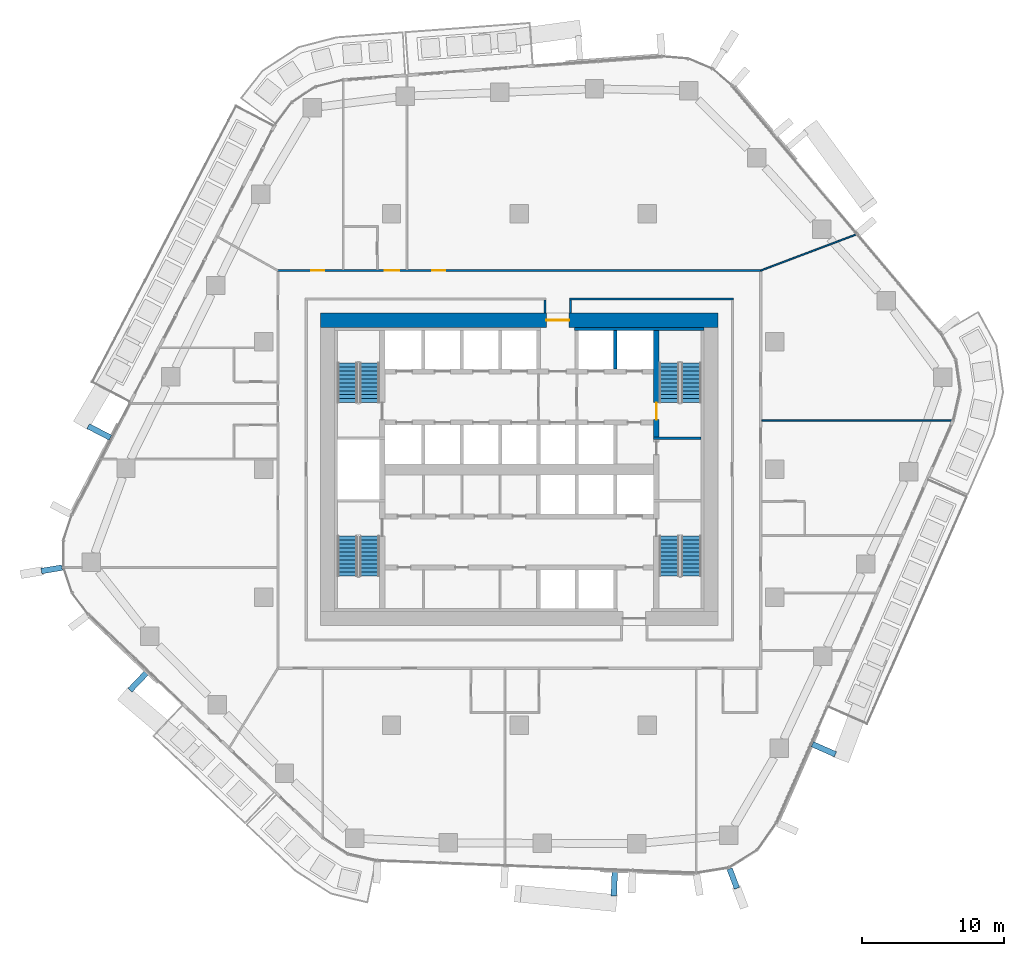
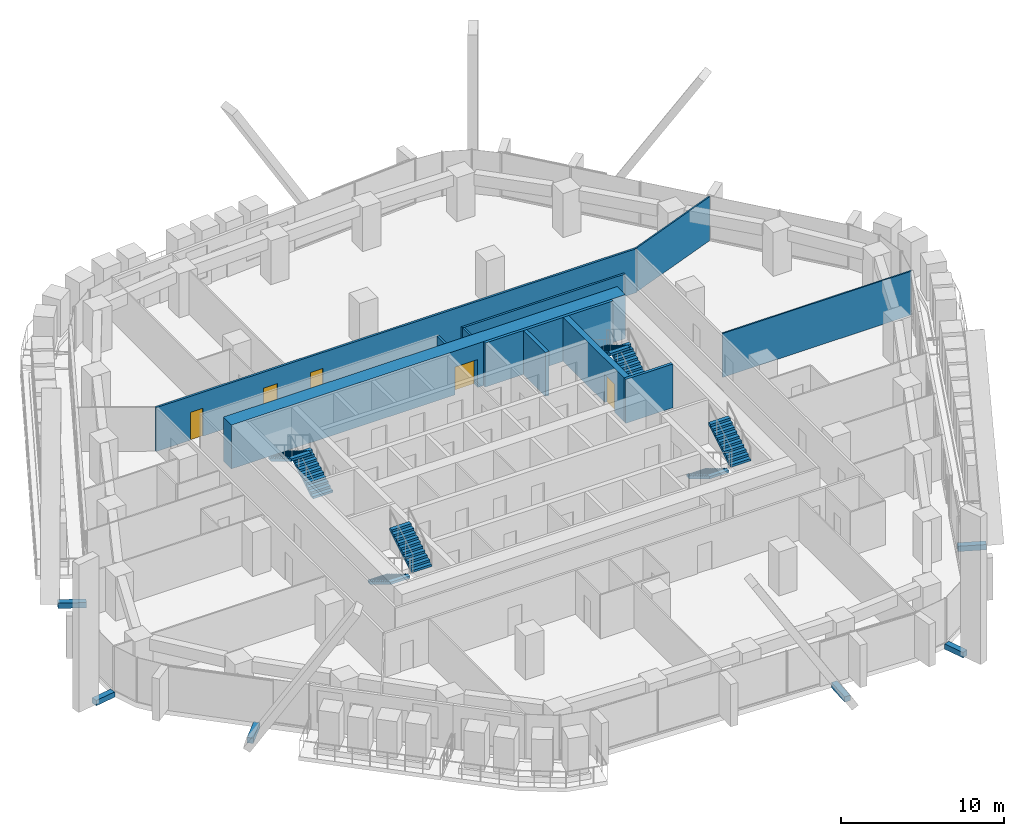
# One storey, part 16 of 24: 11 walls, 8 stair flights, 6 discrete accessories, 5 doors, 5 openings, 4 elements without a shape of their own.
"""IFC4 building model written with IfcOpenShell, lengths in metres."""

from ifc_helpers import new_model, si_unit, direction, frame, frame_2d, origin, origin_2d, place, context, subcontext, project, spatial, polyline, rectangle, outline, extrude, material, layer, layer_set, type_object, element, fill, aggregate, save


model = new_model("IFC4")

# Units and contexts
model_context = context("Model", 3, precision=1e-05, world=origin(), true_north=direction((0.0, 1.0)))
body_context = subcontext(model_context, "Body", "Model", "MODEL_VIEW")
ifc_project = project(units=[si_unit("LENGTHUNIT", "METRE"), si_unit("AREAUNIT", "SQUARE_METRE"), si_unit("VOLUMEUNIT", "CUBIC_METRE"), si_unit("PLANEANGLEUNIT", "RADIAN"), si_unit("MASSUNIT", "GRAM", prefix="KILO")], contexts=[model_context])

# Site, building, storey
site_placement = place(None, origin())
site = spatial("IfcSite", under=ifc_project, at=site_placement, CompositionType="ELEMENT")
building_placement = place(site_placement, origin())
building = spatial("IfcBuilding", under=site, at=building_placement, Name="Dongbaek Canopy Tower", CompositionType="ELEMENT")
storey_placement = place(building_placement, frame((0.0, 0.0, 128.5)))
storey = spatial("IfcBuildingStorey", under=building, at=storey_placement, Name="L28", CompositionType="ELEMENT", Elevation=128.5)

# Wall, opening, door
ifc_material_1 = material(Name="Concrete C60/75", Category="concrete")
ifc_layer_1 = layer(ifc_material_1, 1.0)
ifc_layer_set_1 = layer_set([ifc_layer_1], Name="Core outer wall 1000 Concrete C60/75")
wall_type_1 = type_object("IfcWallType", Name="Core outer wall 1000 Concrete C60/75", PredefinedType="SHEAR", material=ifc_layer_set_1)
wall_1_placement = place(storey_placement, frame((-14.0, 10.5, 0.0), z_axis=(0.0, 0.0, 1.0), x_axis=(1.0, 0.0, 0.0)))
wall_1 = element("IfcWall", 1, at=wall_1_placement, inside=storey, type_object=wall_type_1, Name="Core wall", PredefinedType="SHEAR", context=body_context, shape_type="SweptSolid", body=[
    extrude(rectangle(XDim=28.0, YDim=1.0, at=frame_2d((14.0, 0.0))), origin(), (0.0, 0.0, 1.0), 3.300048828125),
])
opening_1_placement = place(wall_1_placement, frame((15.89990234375, 0.0, 0.0)))
opening_1 = element("IfcOpeningElement", 2, at=opening_1_placement, cuts=wall_1, Name="Opening L28-D030", PredefinedType="OPENING", context=body_context, shape_type="SweptSolid", body=[
    extrude(rectangle(XDim=1.60009765625, YDim=2.10009765625, at=frame_2d((0.800048828125, 1.050048828125))), frame((0.0, 0.510009765625, 0.0), z_axis=(0.0, -1.0, 0.0), x_axis=(1.0, 0.0, 0.0)), (0.0, 0.0, 1.0), 1.02001953125),
])
ifc_material_2 = material(Name="Steel", Category="steel")
door_type_1 = type_object("IfcDoorType", Name="Core exit door 1600 x 2100", OperationType="DOUBLE_DOOR_SINGLE_SWING", PredefinedType="DOOR", material=ifc_material_2)
door_1_placement = place(opening_1_placement, origin())
door_1 = element("IfcDoor", 3, at=door_1_placement, inside=storey, type_object=door_type_1, Name="Core exit door", OperationType="DOUBLE_DOOR_SINGLE_SWING", OverallHeight=2.10009765625, OverallWidth=1.60009765625, PredefinedType="DOOR", context=body_context, shape_type="SweptSolid", body=[
    extrude(rectangle(XDim=1.60009765625, YDim=2.10009765625, at=frame_2d((0.800048828125, 1.050048828125))), frame((0.0, 0.02490234375, 0.0), z_axis=(0.0, -1.0, 0.0), x_axis=(1.0, 0.0, 0.0)), (0.0, 0.0, 1.0), 0.050048828125),
])
fill(opening_1, door_1)

# Walls
ifc_material_3 = material(Name="Concrete C60/75", Category="concrete")
ifc_layer_2 = layer(ifc_material_3, 0.199951171875)
ifc_layer_set_2 = layer_set([ifc_layer_2], Name="Core wall lining 200 Concrete C60/75")
wall_type_2 = type_object("IfcWallType", Name="Core wall lining 200 Concrete C60/75", PredefinedType="SHEAR", material=ifc_layer_set_2)
wall_2_placement = place(storey_placement, frame((3.89990234375, 9.89990234375, 0.0), z_axis=(0.0, 0.0, 1.0), x_axis=(1.0, 0.0, 0.0)))
element("IfcWall", 4, at=wall_2_placement, inside=storey, type_object=wall_type_2, Name="Core wall lining", PredefinedType="SHEAR", context=body_context, shape_type="SweptSolid", body=[
    extrude(rectangle(XDim=9.10009765625, YDim=0.199951171875, at=frame_2d((4.550048828125, 0.0))), origin(), (0.0, 0.0, 1.0), 3.300048828125),
])
ifc_material_4 = material(Name="Gypsum board partition, steel stud, 2 x 15 mm fire board", Category="steel")
ifc_layer_3 = layer(ifc_material_4, 0.14990234375)
ifc_layer_set_3 = layer_set([ifc_layer_3], Name="Fire-rated partition 150 gypsum board")
wall_type_3 = type_object("IfcWallType", Name="Fire-rated partition 150 gypsum board", PredefinedType="PARTITIONING", material=ifc_layer_set_3)
wall_3_placement = place(storey_placement, frame((3.52490234375, 12.0, 0.0), z_axis=(0.0, 0.0, 1.0), x_axis=(1.0, 0.0, 0.0)))
element("IfcWall", 5, at=wall_3_placement, inside=storey, type_object=wall_type_3, Name="Corridor partition", PredefinedType="PARTITIONING", context=body_context, shape_type="SweptSolid", body=[
    extrude(rectangle(XDim=11.550048828125, YDim=0.14990234375, at=frame_2d((5.77490234375, 0.0))), origin(), (0.0, 0.0, 1.0), 3.300048828125),
])

# Wall, openings, doors
wall_4_placement = place(storey_placement, frame((-17.074951171875, 14.0, 0.0), z_axis=(0.0, 0.0, 1.0), x_axis=(1.0, 0.0, 0.0)))
wall_4 = element("IfcWall", 6, at=wall_4_placement, inside=storey, type_object=wall_type_3, Name="Corridor partition", PredefinedType="PARTITIONING", context=body_context, shape_type="SweptSolid", body=[
    extrude(rectangle(XDim=34.14990234375, YDim=0.14990234375, at=frame_2d((17.074951171875, 0.0))), origin(), (0.0, 0.0, 1.0), 3.300048828125),
])
opening_2_placement = place(wall_4_placement, frame((10.953857421875, 0.0, 0.0)))
opening_2 = element("IfcOpeningElement", 7, at=opening_2_placement, cuts=wall_4, Name="Opening L28-D014", PredefinedType="OPENING", context=body_context, shape_type="SweptSolid", body=[
    extrude(rectangle(XDim=0.89990234375, YDim=2.10009765625, at=frame_2d((0.449951171875, 1.050048828125))), frame((0.0, 0.0849609375, 0.0), z_axis=(0.0, -1.0, 0.0), x_axis=(1.0, 0.0, 0.0)), (0.0, 0.0, 1.0), 0.169921875),
])
opening_3_placement = place(wall_4_placement, frame((7.617431640625, 0.0, 0.0)))
opening_3 = element("IfcOpeningElement", 8, at=opening_3_placement, cuts=wall_4, Name="Opening L28-D016", PredefinedType="OPENING", context=body_context, shape_type="SweptSolid", body=[
    extrude(rectangle(XDim=1.0, YDim=2.10009765625, at=frame_2d((0.5, 1.050048828125))), frame((0.0, 0.0849609375, 0.0), z_axis=(0.0, -1.0, 0.0), x_axis=(1.0, 0.0, 0.0)), (0.0, 0.0, 1.0), 0.169921875),
])
opening_4_placement = place(wall_4_placement, frame((2.42529296875, 0.0, 0.0)))
opening_4 = element("IfcOpeningElement", 9, at=opening_4_placement, cuts=wall_4, Name="Opening L28-D017", PredefinedType="OPENING", context=body_context, shape_type="SweptSolid", body=[
    extrude(rectangle(XDim=0.89990234375, YDim=2.10009765625, at=frame_2d((0.449951171875, 1.050048828125))), frame((0.0, 0.0849609375, 0.0), z_axis=(0.0, -1.0, 0.0), x_axis=(1.0, 0.0, 0.0)), (0.0, 0.0, 1.0), 0.169921875),
])
ifc_material_5 = material(Name="Timber veneered door leaf", Category="wood")
door_type_2 = type_object("IfcDoorType", Name="Guest room door 1000 x 2100", OperationType="SINGLE_SWING_LEFT", PredefinedType="DOOR", material=ifc_material_5)
door_2_placement = place(opening_3_placement, origin())
door_2 = element("IfcDoor", 10, at=door_2_placement, inside=storey, type_object=door_type_2, Name="Door L28-D016", OperationType="SINGLE_SWING_LEFT", OverallHeight=2.10009765625, OverallWidth=1.0, PredefinedType="DOOR", context=body_context, shape_type="SweptSolid", body=[
    extrude(rectangle(XDim=1.0, YDim=2.10009765625, at=frame_2d((0.5, 1.050048828125))), frame((0.0, 0.02490234375, 0.0), z_axis=(0.0, -1.0, 0.0), x_axis=(1.0, 0.0, 0.0)), (0.0, 0.0, 1.0), 0.050048828125),
])
fill(opening_3, door_2)
ifc_material_6 = material(Name="Timber veneered door leaf", Category="wood")
door_type_3 = type_object("IfcDoorType", Name="Room door 900 x 2100", OperationType="SINGLE_SWING_LEFT", PredefinedType="DOOR", material=ifc_material_6)
door_3_placement = place(opening_2_placement, origin())
door_3 = element("IfcDoor", 11, at=door_3_placement, inside=storey, type_object=door_type_3, Name="Door L28-D014", OperationType="SINGLE_SWING_RIGHT", OverallHeight=2.10009765625, OverallWidth=0.89990234375, PredefinedType="DOOR", context=body_context, shape_type="SweptSolid", body=[
    extrude(rectangle(XDim=0.89990234375, YDim=2.10009765625, at=frame_2d((0.449951171875, 1.050048828125))), frame((0.0, 0.02490234375, 0.0), z_axis=(0.0, -1.0, 0.0), x_axis=(1.0, 0.0, 0.0)), (0.0, 0.0, 1.0), 0.050048828125),
])
fill(opening_2, door_3)
door_4_placement = place(opening_4_placement, origin())
door_4 = element("IfcDoor", 12, at=door_4_placement, inside=storey, type_object=door_type_3, Name="Door L28-D017", OperationType="SINGLE_SWING_RIGHT", OverallHeight=2.10009765625, OverallWidth=0.89990234375, PredefinedType="DOOR", context=body_context, shape_type="SweptSolid", body=[
    extrude(rectangle(XDim=0.89990234375, YDim=2.10009765625, at=frame_2d((0.449951171875, 1.050048828125))), frame((0.0, 0.02490234375, 0.0), z_axis=(0.0, -1.0, 0.0), x_axis=(1.0, 0.0, 0.0)), (0.0, 0.0, 1.0), 0.050048828125),
])
fill(opening_4, door_4)

# Walls
for number, where, z_axis, x_axis, name in (
    (13, (3.60009765625, 11.0, 0.0), (0.0, 0.0, 1.0), (0.0, 1.0, 0.0), "Corridor partition"),
    (14, (1.800048828125, 11.0, 0.0), (0.0, 0.0, 1.0), (0.0, 1.0, 0.0), "Corridor partition"),
):
    element("IfcWall", number, at=place(storey_placement, frame(where, z_axis=z_axis, x_axis=x_axis)), inside=storey, type_object=wall_type_3, Name=name, PredefinedType="PARTITIONING", context=body_context, shape_type="SweptSolid", body=[
        extrude(rectangle(XDim=0.925048828125, YDim=0.14990234375, at=frame_2d((0.46240234375, 0.0))), origin(), (0.0, 0.0, 1.0), 3.300048828125),
    ])
ifc_material_7 = material(Name="Concrete C40/50", Category="concrete")
ifc_layer_4 = layer(ifc_material_7, 0.25)
ifc_layer_set_4 = layer_set([ifc_layer_4], Name="Lift shaft wall 250 Concrete C40/50")
wall_type_4 = type_object("IfcWallType", Name="Lift shaft wall 250 Concrete C40/50", PredefinedType="SOLIDWALL", material=ifc_layer_set_4)
wall_5_placement = place(storey_placement, frame((6.75, 7.074951171875, 0.0), z_axis=(0.0, 0.0, 1.0), x_axis=(0.0, 1.0, 0.0)))
element("IfcWall", 15, at=wall_5_placement, inside=storey, type_object=wall_type_4, Name="Lift shaft wall", PredefinedType="SOLIDWALL", context=body_context, shape_type="SweptSolid", body=[
    extrude(rectangle(XDim=2.72509765625, YDim=0.25, at=frame_2d((1.362548828125, 0.0))), origin(), (0.0, 0.0, 1.0), 3.300048828125),
])
ifc_material_8 = material(Name="Gypsum board partition, steel stud, 2 x 12.5 mm board", Category="steel")
ifc_layer_5 = layer(ifc_material_8, 0.10009765625)
ifc_layer_set_5 = layer_set([ifc_layer_5], Name="Partition 100 gypsum board")
wall_type_5 = type_object("IfcWallType", Name="Partition 100 gypsum board", PredefinedType="PARTITIONING", material=ifc_layer_set_5)
wall_6_placement = place(storey_placement, frame((17.074951171875, 3.43798828125, 0.0), z_axis=(0.0, 0.0, 1.0), x_axis=(1.0, 0.0, 0.0)))
element("IfcWall", 16, at=wall_6_placement, inside=storey, type_object=wall_type_5, Name="Partition", PredefinedType="PARTITIONING", context=body_context, shape_type="SweptSolid", body=[
    extrude(rectangle(XDim=13.436279296875, YDim=0.10009765625, at=frame_2d((6.71826171875, 0.0))), origin(), (0.0, 0.0, 1.0), 3.300048828125),
])
wall_7_placement = place(storey_placement, frame((17.0, 14.0, 0.0), z_axis=(0.0, 0.0, 1.0), x_axis=(0.934953139897, 0.354771230791, 0.0)))
element("IfcWall", 17, at=wall_7_placement, inside=storey, type_object=wall_type_5, Name="Partition", PredefinedType="PARTITIONING", context=body_context, shape_type="SweptSolid", body=[
    extrude(rectangle(XDim=7.23388671875, YDim=0.10009765625, at=frame_2d((3.616943359375, 0.0))), origin(), (0.0, 0.0, 1.0), 3.300048828125),
])
ifc_material_9 = material(Name="Concrete C60/75", Category="concrete")
ifc_layer_6 = layer(ifc_material_9, 0.199951171875)
ifc_layer_set_6 = layer_set([ifc_layer_6], Name="Riser wall 200 Concrete C60/75")
wall_type_6 = type_object("IfcWallType", Name="Riser wall 200 Concrete C60/75", PredefinedType="SHEAR", material=ifc_layer_set_6)
wall_8_placement = place(storey_placement, frame((9.449951171875, 2.199951171875, 0.0), z_axis=(0.0, 0.0, 1.0), x_axis=(1.0, 0.0, 0.0)))
element("IfcWall", 18, at=wall_8_placement, inside=storey, type_object=wall_type_6, Name="Riser wall", PredefinedType="SHEAR", context=body_context, shape_type="SweptSolid", body=[
    extrude(rectangle(XDim=3.35009765625, YDim=0.199951171875, at=frame_2d((1.675048828125, 0.0))), origin(), (0.0, 0.0, 1.0), 3.300048828125),
])

# Wall, opening, door
ifc_material_10 = material(Name="Concrete C60/75", Category="concrete")
ifc_layer_7 = layer(ifc_material_10, 0.39990234375)
ifc_layer_set_7 = layer_set([ifc_layer_7], Name="Stair wall 400 Concrete C60/75")
wall_type_7 = type_object("IfcWallType", Name="Stair wall 400 Concrete C60/75", PredefinedType="SHEAR", material=ifc_layer_set_7)
wall_9_placement = place(storey_placement, frame((9.64990234375, 9.800048828125, 0.0), z_axis=(0.0, 0.0, 1.0), x_axis=(0.0, -1.0, 0.0)))
wall_9 = element("IfcWall", 19, at=wall_9_placement, inside=storey, type_object=wall_type_7, Name="Stair wall", PredefinedType="SHEAR", context=body_context, shape_type="SweptSolid", body=[
    extrude(rectangle(XDim=7.5, YDim=0.39990234375, at=frame_2d((3.75, 0.0))), origin(), (0.0, 0.0, 1.0), 3.300048828125),
])
opening_5_placement = place(wall_9_placement, frame((5.10009765625, 0.0, 0.0)))
opening_5 = element("IfcOpeningElement", 20, at=opening_5_placement, cuts=wall_9, Name="Opening L28-D051", PredefinedType="OPENING", context=body_context, shape_type="SweptSolid", body=[
    extrude(rectangle(XDim=1.199951171875, YDim=2.10009765625, at=frame_2d((0.60009765625, 1.050048828125))), frame((0.0, 0.2099609375, 0.0), z_axis=(0.0, -1.0, 0.0), x_axis=(1.0, 0.0, 0.0)), (0.0, 0.0, 1.0), 0.419921875),
])
ifc_material_11 = material(Name="Steel", Category="steel")
door_type_4 = type_object("IfcDoorType", Name="Stair door 1200 x 2100", OperationType="SINGLE_SWING_LEFT", PredefinedType="DOOR", material=ifc_material_11)
door_5_placement = place(opening_5_placement, origin())
door_5 = element("IfcDoor", 21, at=door_5_placement, inside=storey, type_object=door_type_4, Name="Stair A door", OperationType="SINGLE_SWING_LEFT", OverallHeight=2.10009765625, OverallWidth=1.199951171875, PredefinedType="DOOR", context=body_context, shape_type="SweptSolid", body=[
    extrude(rectangle(XDim=1.199951171875, YDim=2.10009765625, at=frame_2d((0.60009765625, 1.050048828125))), frame((0.0, 0.02490234375, 0.0), z_axis=(0.0, -1.0, 0.0), x_axis=(1.0, 0.0, 0.0)), (0.0, 0.0, 1.0), 0.050048828125),
])
fill(opening_5, door_5)

# Stair, stair flights
ifc_material_12 = material(Name="Concrete C40/50", Category="concrete")
stair_type = type_object("IfcStairType", Name="Core exit stair", PredefinedType="HALF_TURN_STAIR", material=ifc_material_12)
stair_1_placement = place(storey_placement, origin())
stair_1 = element("IfcStair", 22, at=stair_1_placement, inside=storey, type_object=stair_type, Name="L28 exit stair A", PredefinedType="HALF_TURN_STAIR")
ifc_material_13 = material(Name="Concrete C40/50", Category="concrete")
ifc_layer_8 = layer(ifc_material_13, 0.14990234375)
ifc_layer_set_8 = layer_set([ifc_layer_8], Name="Core stair flight 150 waist")
stair_flight_type = type_object("IfcStairFlightType", Name="Core stair flight 150 waist", PredefinedType="STRAIGHT", material=ifc_layer_set_8)
stair_flight_1_placement = place(storey_placement, frame((12.10009765625, 4.699951171875, 0.0), z_axis=(0.0, 0.0, 1.0), x_axis=(0.0, 1.0, 0.0)))
stair_flight_1 = element("IfcStairFlight", 23, at=stair_flight_1_placement, type_object=stair_flight_type, Name="ST-A flight 1", NumberOfRisers=11, NumberOfTreads=10, PredefinedType="STRAIGHT", RiserHeight=0.168181818, TreadLength=0.28, context=body_context, shape_type="SweptSolid", body=[
    extrude(outline(polyline([(0.0, 0.0), (0.0, 0.168212890625), (0.280029296875, 0.168212890625), (0.280029296875, 0.33642578125), (0.56005859375, 0.33642578125), (0.56005859375, 0.504638671875), (0.840087890625, 0.504638671875), (0.840087890625, 0.672607421875), (1.1201171875, 0.672607421875), (1.1201171875, 0.8408203125), (1.39990234375, 0.8408203125), (1.39990234375, 1.009033203125), (1.679931640625, 1.009033203125), (1.679931640625, 1.17724609375), (1.9599609375, 1.17724609375), (1.9599609375, 1.345458984375), (2.239990234375, 1.345458984375), (2.239990234375, 1.513671875), (2.52001953125, 1.513671875), (2.52001953125, 1.681884765625), (2.800048828125, 1.681884765625), (2.800048828125, 1.85009765625), (2.800048828125, 1.5068359375), (0.291015625, 0.0), (0.0, 0.0)])), frame((0.0, 0.699951171875, 0.0), z_axis=(0.0, -1.0, 0.0), x_axis=(1.0, 0.0, 0.0)), (0.0, 0.0, 1.0), 1.39990234375),
])
stair_flight_2_placement = place(storey_placement, frame((10.550048828125, 7.5, 1.85009765625), z_axis=(0.0, 0.0, 1.0), x_axis=(0.0, -1.0, 0.0)))
stair_flight_2 = element("IfcStairFlight", 24, at=stair_flight_2_placement, type_object=stair_flight_type, Name="ST-A flight 2", NumberOfRisers=11, NumberOfTreads=10, PredefinedType="STRAIGHT", RiserHeight=0.168181818, TreadLength=0.28, context=body_context, shape_type="SweptSolid", body=[
    extrude(outline(polyline([(0.0, 0.0), (0.0, 0.168212890625), (0.280029296875, 0.168212890625), (0.280029296875, 0.33642578125), (0.56005859375, 0.33642578125), (0.56005859375, 0.504638671875), (0.840087890625, 0.504638671875), (0.840087890625, 0.672607421875), (1.1201171875, 0.672607421875), (1.1201171875, 0.8408203125), (1.39990234375, 0.8408203125), (1.39990234375, 1.009033203125), (1.679931640625, 1.009033203125), (1.679931640625, 1.17724609375), (1.9599609375, 1.17724609375), (1.9599609375, 1.345458984375), (2.239990234375, 1.345458984375), (2.239990234375, 1.513671875), (2.52001953125, 1.513671875), (2.52001953125, 1.681884765625), (2.800048828125, 1.681884765625), (2.800048828125, 1.85009765625), (2.800048828125, 1.5068359375), (0.291015625, 0.0), (0.0, 0.0)])), frame((0.0, 0.699951171875, 0.0), z_axis=(0.0, -1.0, 0.0), x_axis=(1.0, 0.0, 0.0)), (0.0, 0.0, 1.0), 1.39990234375),
])
aggregate(stair_1, [stair_flight_1, stair_flight_2])

stair_2_placement = place(storey_placement, origin())
stair_2 = element("IfcStair", 25, at=stair_2_placement, inside=storey, type_object=stair_type, Name="L28 exit stair C", PredefinedType="HALF_TURN_STAIR")
stair_flight_3_placement = place(storey_placement, frame((-10.550048828125, 4.699951171875, 0.0), z_axis=(0.0, 0.0, 1.0), x_axis=(0.0, 1.0, 0.0)))
stair_flight_3 = element("IfcStairFlight", 26, at=stair_flight_3_placement, type_object=stair_flight_type, Name="ST-C flight 1", NumberOfRisers=11, NumberOfTreads=10, PredefinedType="STRAIGHT", RiserHeight=0.168181818, TreadLength=0.28, context=body_context, shape_type="SweptSolid", body=[
    extrude(outline(polyline([(0.0, 0.0), (0.0, 0.168212890625), (0.280029296875, 0.168212890625), (0.280029296875, 0.33642578125), (0.56005859375, 0.33642578125), (0.56005859375, 0.504638671875), (0.840087890625, 0.504638671875), (0.840087890625, 0.672607421875), (1.1201171875, 0.672607421875), (1.1201171875, 0.8408203125), (1.39990234375, 0.8408203125), (1.39990234375, 1.009033203125), (1.679931640625, 1.009033203125), (1.679931640625, 1.17724609375), (1.9599609375, 1.17724609375), (1.9599609375, 1.345458984375), (2.239990234375, 1.345458984375), (2.239990234375, 1.513671875), (2.52001953125, 1.513671875), (2.52001953125, 1.681884765625), (2.800048828125, 1.681884765625), (2.800048828125, 1.85009765625), (2.800048828125, 1.5068359375), (0.291015625, 0.0), (0.0, 0.0)])), frame((0.0, 0.699951171875, 0.0), z_axis=(0.0, -1.0, 0.0), x_axis=(1.0, 0.0, 0.0)), (0.0, 0.0, 1.0), 1.39990234375),
])
stair_flight_4_placement = place(storey_placement, frame((-12.10009765625, 7.5, 1.85009765625), z_axis=(0.0, 0.0, 1.0), x_axis=(0.0, -1.0, 0.0)))
stair_flight_4 = element("IfcStairFlight", 27, at=stair_flight_4_placement, type_object=stair_flight_type, Name="ST-C flight 2", NumberOfRisers=11, NumberOfTreads=10, PredefinedType="STRAIGHT", RiserHeight=0.168181818, TreadLength=0.28, context=body_context, shape_type="SweptSolid", body=[
    extrude(outline(polyline([(0.0, 0.0), (0.0, 0.168212890625), (0.280029296875, 0.168212890625), (0.280029296875, 0.33642578125), (0.56005859375, 0.33642578125), (0.56005859375, 0.504638671875), (0.840087890625, 0.504638671875), (0.840087890625, 0.672607421875), (1.1201171875, 0.672607421875), (1.1201171875, 0.8408203125), (1.39990234375, 0.8408203125), (1.39990234375, 1.009033203125), (1.679931640625, 1.009033203125), (1.679931640625, 1.17724609375), (1.9599609375, 1.17724609375), (1.9599609375, 1.345458984375), (2.239990234375, 1.345458984375), (2.239990234375, 1.513671875), (2.52001953125, 1.513671875), (2.52001953125, 1.681884765625), (2.800048828125, 1.681884765625), (2.800048828125, 1.85009765625), (2.800048828125, 1.5068359375), (0.291015625, 0.0), (0.0, 0.0)])), frame((0.0, 0.699951171875, 0.0), z_axis=(0.0, -1.0, 0.0), x_axis=(1.0, 0.0, 0.0)), (0.0, 0.0, 1.0), 1.39990234375),
])
aggregate(stair_2, [stair_flight_3, stair_flight_4])

stair_3_placement = place(storey_placement, origin())
stair_3 = element("IfcStair", 28, at=stair_3_placement, inside=storey, type_object=stair_type, Name="L28 exit stair B", PredefinedType="HALF_TURN_STAIR")
stair_flight_5_placement = place(storey_placement, frame((10.550048828125, -4.699951171875, 0.0), z_axis=(0.0, 0.0, 1.0), x_axis=(0.0, -1.0, 0.0)))
stair_flight_5 = element("IfcStairFlight", 29, at=stair_flight_5_placement, type_object=stair_flight_type, Name="ST-B flight 1", NumberOfRisers=11, NumberOfTreads=10, PredefinedType="STRAIGHT", RiserHeight=0.168181818, TreadLength=0.28, context=body_context, shape_type="SweptSolid", body=[
    extrude(outline(polyline([(0.0, 0.0), (0.0, 0.168212890625), (0.280029296875, 0.168212890625), (0.280029296875, 0.33642578125), (0.56005859375, 0.33642578125), (0.56005859375, 0.504638671875), (0.840087890625, 0.504638671875), (0.840087890625, 0.672607421875), (1.1201171875, 0.672607421875), (1.1201171875, 0.8408203125), (1.39990234375, 0.8408203125), (1.39990234375, 1.009033203125), (1.679931640625, 1.009033203125), (1.679931640625, 1.17724609375), (1.9599609375, 1.17724609375), (1.9599609375, 1.345458984375), (2.239990234375, 1.345458984375), (2.239990234375, 1.513671875), (2.52001953125, 1.513671875), (2.52001953125, 1.681884765625), (2.800048828125, 1.681884765625), (2.800048828125, 1.85009765625), (2.800048828125, 1.5068359375), (0.291015625, 0.0), (0.0, 0.0)])), frame((0.0, 0.699951171875, 0.0), z_axis=(0.0, -1.0, 0.0), x_axis=(1.0, 0.0, 0.0)), (0.0, 0.0, 1.0), 1.39990234375),
])
stair_flight_6_placement = place(storey_placement, frame((12.10009765625, -7.5, 1.85009765625), z_axis=(0.0, 0.0, 1.0), x_axis=(0.0, 1.0, 0.0)))
stair_flight_6 = element("IfcStairFlight", 30, at=stair_flight_6_placement, type_object=stair_flight_type, Name="ST-B flight 2", NumberOfRisers=11, NumberOfTreads=10, PredefinedType="STRAIGHT", RiserHeight=0.168181818, TreadLength=0.28, context=body_context, shape_type="SweptSolid", body=[
    extrude(outline(polyline([(0.0, 0.0), (0.0, 0.168212890625), (0.280029296875, 0.168212890625), (0.280029296875, 0.33642578125), (0.56005859375, 0.33642578125), (0.56005859375, 0.504638671875), (0.840087890625, 0.504638671875), (0.840087890625, 0.672607421875), (1.1201171875, 0.672607421875), (1.1201171875, 0.8408203125), (1.39990234375, 0.8408203125), (1.39990234375, 1.009033203125), (1.679931640625, 1.009033203125), (1.679931640625, 1.17724609375), (1.9599609375, 1.17724609375), (1.9599609375, 1.345458984375), (2.239990234375, 1.345458984375), (2.239990234375, 1.513671875), (2.52001953125, 1.513671875), (2.52001953125, 1.681884765625), (2.800048828125, 1.681884765625), (2.800048828125, 1.85009765625), (2.800048828125, 1.5068359375), (0.291015625, 0.0), (0.0, 0.0)])), frame((0.0, 0.699951171875, 0.0), z_axis=(0.0, -1.0, 0.0), x_axis=(1.0, 0.0, 0.0)), (0.0, 0.0, 1.0), 1.39990234375),
])
aggregate(stair_3, [stair_flight_5, stair_flight_6])

stair_4_placement = place(storey_placement, origin())
stair_4 = element("IfcStair", 31, at=stair_4_placement, inside=storey, type_object=stair_type, Name="L28 exit stair D", PredefinedType="HALF_TURN_STAIR")
stair_flight_7_placement = place(storey_placement, frame((-12.10009765625, -4.699951171875, 0.0), z_axis=(0.0, 0.0, 1.0), x_axis=(0.0, -1.0, 0.0)))
stair_flight_7 = element("IfcStairFlight", 32, at=stair_flight_7_placement, type_object=stair_flight_type, Name="ST-D flight 1", NumberOfRisers=11, NumberOfTreads=10, PredefinedType="STRAIGHT", RiserHeight=0.168181818, TreadLength=0.28, context=body_context, shape_type="SweptSolid", body=[
    extrude(outline(polyline([(0.0, 0.0), (0.0, 0.168212890625), (0.280029296875, 0.168212890625), (0.280029296875, 0.33642578125), (0.56005859375, 0.33642578125), (0.56005859375, 0.504638671875), (0.840087890625, 0.504638671875), (0.840087890625, 0.672607421875), (1.1201171875, 0.672607421875), (1.1201171875, 0.8408203125), (1.39990234375, 0.8408203125), (1.39990234375, 1.009033203125), (1.679931640625, 1.009033203125), (1.679931640625, 1.17724609375), (1.9599609375, 1.17724609375), (1.9599609375, 1.345458984375), (2.239990234375, 1.345458984375), (2.239990234375, 1.513671875), (2.52001953125, 1.513671875), (2.52001953125, 1.681884765625), (2.800048828125, 1.681884765625), (2.800048828125, 1.85009765625), (2.800048828125, 1.5068359375), (0.291015625, 0.0), (0.0, 0.0)])), frame((0.0, 0.699951171875, 0.0), z_axis=(0.0, -1.0, 0.0), x_axis=(1.0, 0.0, 0.0)), (0.0, 0.0, 1.0), 1.39990234375),
])
stair_flight_8_placement = place(storey_placement, frame((-10.550048828125, -7.5, 1.85009765625), z_axis=(0.0, 0.0, 1.0), x_axis=(0.0, 1.0, 0.0)))
stair_flight_8 = element("IfcStairFlight", 33, at=stair_flight_8_placement, type_object=stair_flight_type, Name="ST-D flight 2", NumberOfRisers=11, NumberOfTreads=10, PredefinedType="STRAIGHT", RiserHeight=0.168181818, TreadLength=0.28, context=body_context, shape_type="SweptSolid", body=[
    extrude(outline(polyline([(0.0, 0.0), (0.0, 0.168212890625), (0.280029296875, 0.168212890625), (0.280029296875, 0.33642578125), (0.56005859375, 0.33642578125), (0.56005859375, 0.504638671875), (0.840087890625, 0.504638671875), (0.840087890625, 0.672607421875), (1.1201171875, 0.672607421875), (1.1201171875, 0.8408203125), (1.39990234375, 0.8408203125), (1.39990234375, 1.009033203125), (1.679931640625, 1.009033203125), (1.679931640625, 1.17724609375), (1.9599609375, 1.17724609375), (1.9599609375, 1.345458984375), (2.239990234375, 1.345458984375), (2.239990234375, 1.513671875), (2.52001953125, 1.513671875), (2.52001953125, 1.681884765625), (2.800048828125, 1.681884765625), (2.800048828125, 1.85009765625), (2.800048828125, 1.5068359375), (0.291015625, 0.0), (0.0, 0.0)])), frame((0.0, 0.699951171875, 0.0), z_axis=(0.0, -1.0, 0.0), x_axis=(1.0, 0.0, 0.0)), (0.0, 0.0, 1.0), 1.39990234375),
])
aggregate(stair_4, [stair_flight_7, stair_flight_8])

# Discrete accessories
ifc_material_14 = material(Name="Galvanised steel S355 bracket", Category="steel")
discrete_accessory_type = type_object("IfcDiscreteAccessoryType", Name="Crease fin bracket BR3 400", PredefinedType="BRACKET", material=ifc_material_14)
discrete_accessory_1_placement = place(storey_placement, frame((-29.572265625, 2.640625, -0.39990234375), z_axis=(0.0, 0.0, 1.0), x_axis=(-0.886927004617, 0.461909610727, 0.0)))
element("IfcDiscreteAccessory", 34, at=discrete_accessory_1_placement, inside=storey, type_object=discrete_accessory_type, Name="Crease fin bracket L28 F2", PredefinedType="BRACKET", context=body_context, shape_type="SweptSolid", body=[
    extrude(rectangle(XDim=1.756591796875, YDim=0.39990234375, at=origin_2d()), origin(), (0.0, 0.0, 1.0), 0.39990234375),
])
discrete_accessory_2_placement = place(storey_placement, frame((-26.814453125, -14.911376953125, -0.39990234375), z_axis=(0.0, 0.0, 1.0), x_axis=(-0.689302234071, -0.724473898843, 0.0)))
element("IfcDiscreteAccessory", 35, at=discrete_accessory_2_placement, inside=storey, type_object=discrete_accessory_type, Name="Crease fin bracket L28 F3", PredefinedType="BRACKET", context=body_context, shape_type="SweptSolid", body=[
    extrude(rectangle(XDim=1.75732421875, YDim=0.39990234375, at=origin_2d()), origin(), (0.0, 0.0, 1.0), 0.39990234375),
])
discrete_accessory_3_placement = place(storey_placement, frame((6.688720703125, -29.15966796875, -0.39990234375), z_axis=(0.0, 0.0, 1.0), x_axis=(-0.038586629205, -0.999255258703, 0.0)))
element("IfcDiscreteAccessory", 36, at=discrete_accessory_3_placement, inside=storey, type_object=discrete_accessory_type, Name="Crease fin bracket L28 F4", PredefinedType="BRACKET", context=body_context, shape_type="SweptSolid", body=[
    extrude(rectangle(XDim=1.767578125, YDim=0.39990234375, at=origin_2d()), origin(), (0.0, 0.0, 1.0), 0.39990234375),
])
discrete_accessory_4_placement = place(storey_placement, frame((21.445556640625, -19.701416015625, -0.39990234375), z_axis=(0.0, 0.0, 1.0), x_axis=(0.915562245858, -0.402176297112, 0.0)))
element("IfcDiscreteAccessory", 37, at=discrete_accessory_4_placement, inside=storey, type_object=discrete_accessory_type, Name="Crease fin bracket L28 F5", PredefinedType="BRACKET", context=body_context, shape_type="SweptSolid", body=[
    extrude(rectangle(XDim=1.772216796875, YDim=0.39990234375, at=origin_2d()), origin(), (0.0, 0.0, 1.0), 0.39990234375),
])
for number, where, z_axis, x_axis, name in (
    (38, (-32.922119140625, -7.032958984375, -0.39990234375), (0.0, 0.0, 1.0), (-0.986408330282, -0.164312525236, 0.0), "Corner fin bracket L28 K3"),
    (39, (15.06591796875, -28.80615234375, -0.39990234375), (0.0, 0.0, 1.0), (0.352183074996, -0.935931130846, 0.0), "Corner fin bracket L28 K5"),
):
    element("IfcDiscreteAccessory", number, at=place(storey_placement, frame(where, z_axis=z_axis, x_axis=x_axis)), inside=storey, type_object=discrete_accessory_type, Name=name, PredefinedType="BRACKET", context=body_context, shape_type="SweptSolid", body=[
        extrude(rectangle(XDim=1.469970703125, YDim=0.39990234375, at=origin_2d()), origin(), (0.0, 0.0, 1.0), 0.39990234375),
    ])

save(model, "model.ifc")
